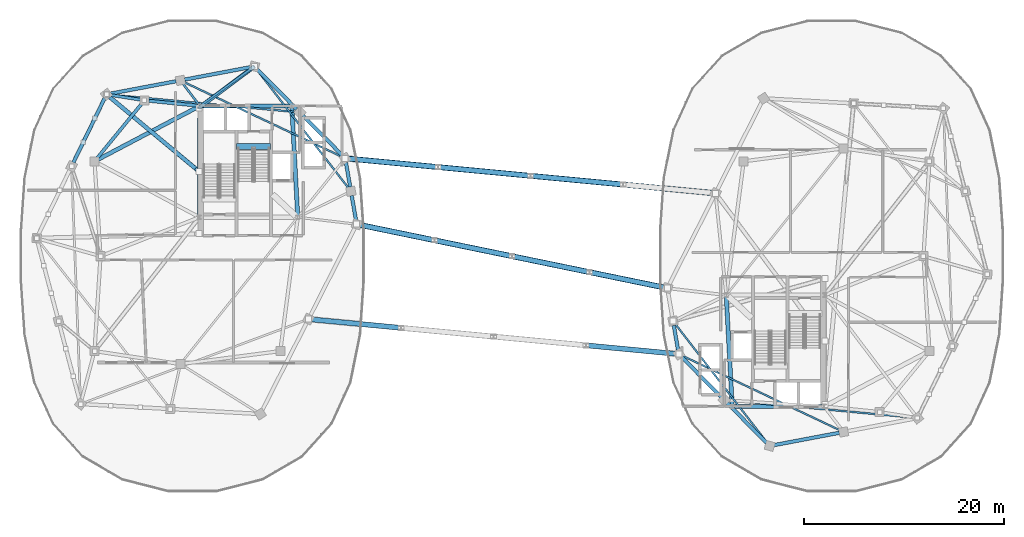
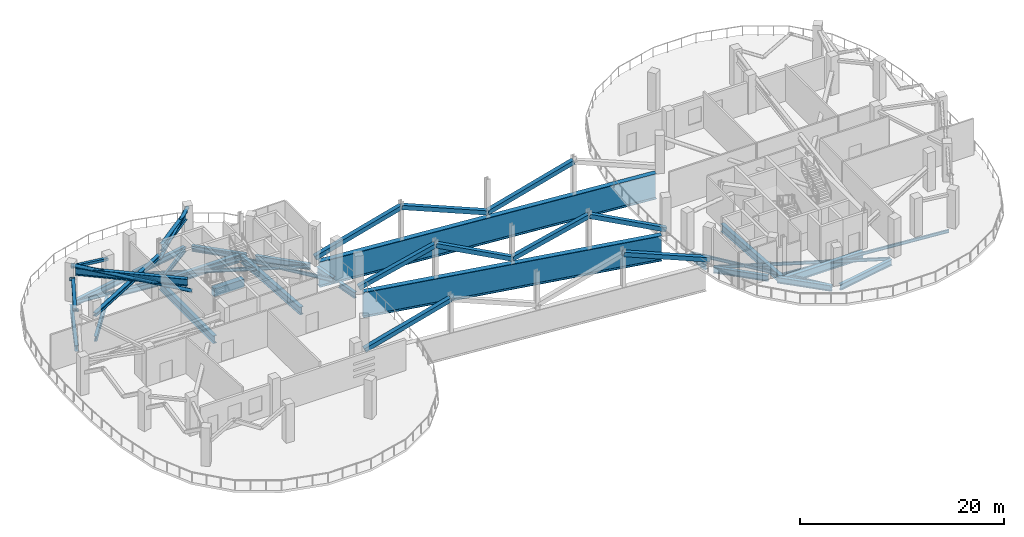
# One storey, part 4 of 16: 31 beams, 16 members.
"""IFC4 building model written with IfcOpenShell, lengths in metres."""

from ifc_helpers import new_model, si_unit, direction, frame, origin, origin_2d, place, context, subcontext, project, spatial, rectangle, hollow_rectangle, hollow_circle, i_section, extrude, material, material_profile, profile_set, type_object, element, save


model = new_model("IFC4")

# Units and contexts
model_context = context("Model", 3, precision=1e-05, world=origin(), true_north=direction((0.0, 1.0)))
body_context = subcontext(model_context, "Body", "Model", "MODEL_VIEW")
ifc_project = project(units=[si_unit("LENGTHUNIT", "METRE"), si_unit("AREAUNIT", "SQUARE_METRE"), si_unit("VOLUMEUNIT", "CUBIC_METRE"), si_unit("PLANEANGLEUNIT", "RADIAN"), si_unit("MASSUNIT", "GRAM", prefix="KILO"), si_unit("THERMODYNAMICTEMPERATUREUNIT", "KELVIN"), si_unit("POWERUNIT", "WATT")], contexts=[model_context])

# Site, building, storey
site_placement = place(None, origin())
site = spatial("IfcSite", under=ifc_project, at=site_placement, CompositionType="ELEMENT")
building_placement = place(site_placement, origin())
building = spatial("IfcBuilding", under=site, at=building_placement, Name="Cundina Bronze Exchange", CompositionType="ELEMENT")
storey_placement = place(building_placement, frame((0.0, 0.0, 235.0)))
storey = spatial("IfcBuildingStorey", under=building, at=storey_placement, Name="L62", CompositionType="ELEMENT", Elevation=235.0)

# Beams
ifc_material_1 = material(Name="Concrete C60/75", Category="concrete")
ifc_material_profile_1 = material_profile(ifc_material_1, rectangle(XDim=0.60009765625, YDim=0.949951171875, at=origin_2d()), Name="RC600X950", Category="concrete")
ifc_profile_set_1 = profile_set([ifc_material_profile_1], Name="Concrete C60/75")
beam_type_1 = type_object("IfcBeamType", Name="BM-COUP-RC950", PredefinedType="LINTEL", material=ifc_profile_set_1)
beam_1_placement = place(storey_placement, frame((-27.56005859375, 10.97998046875, -0.47509765625), z_axis=(1.0, 0.0, 0.0), x_axis=(0.0, 1.0, 0.0)))
element("IfcBeam", 1, at=beam_1_placement, inside=storey, type_object=beam_type_1, Name="L62 Stair W2 Landing Header Beam", PredefinedType="LINTEL", context=body_context, shape_type="SweptSolid", body=[
    extrude(rectangle(XDim=0.60009765625, YDim=0.949951171875, at=origin_2d()), origin(), (0.0, 0.0, 1.0), 3.400146484375),
])
ifc_material_2 = material(Name="Steel ASTM A992 Grade 50", Category="steel")
ifc_material_profile_2 = material_profile(ifc_material_2, i_section(OverallWidth=0.2119140625, OverallDepth=0.5439453125, WebThickness=0.01318359375, FlangeThickness=0.021240234375, FilletRadius=0.013916015625, at=origin_2d()), Name="W21X83", Category="steel")
ifc_profile_set_2 = profile_set([ifc_material_profile_2], Name="Steel ASTM A992 Grade 50")
beam_type_2 = type_object("IfcBeamType", Name="BM-FLR-W21A", PredefinedType="BEAM", material=ifc_profile_set_2)
beam_2_placement = place(storey_placement, frame((-31.09130859375, 15.1650390625, -0.552001953125), z_axis=(0.809709858543, 0.586830422677, 0.0), x_axis=(-0.586830422677, 0.809709858543, 0.0)))
element("IfcBeam", 2, at=beam_2_placement, inside=storey, type_object=beam_type_2, Name="L62 Leg W Radial Floor Beam 04", PredefinedType="BEAM", context=body_context, shape_type="SweptSolid", body=[
    extrude(i_section(OverallWidth=0.2119140625, OverallDepth=0.5439453125, WebThickness=0.01318359375, FlangeThickness=0.021240234375, FilletRadius=0.013916015625, at=origin_2d()), origin(), (0.0, 0.0, 1.0), 6.096923828125),
])
beam_3_placement = place(storey_placement, frame((-31.369140625, 15.205810546875, -0.552001953125), z_axis=(-0.60740437517, 0.794392802727, 0.0), x_axis=(-0.794392802727, -0.60740437517, 0.0)))
element("IfcBeam", 3, at=beam_3_placement, inside=storey, type_object=beam_type_2, Name="L62 Leg W Radial Floor Beam 05", PredefinedType="BEAM", context=body_context, shape_type="SweptSolid", body=[
    extrude(i_section(OverallWidth=0.2119140625, OverallDepth=0.5439453125, WebThickness=0.01318359375, FlangeThickness=0.021240234375, FilletRadius=0.013916015625, at=origin_2d()), origin(), (0.0, 0.0, 1.0), 2.575927734375),
])
ifc_material_profile_3 = material_profile(ifc_material_2, i_section(OverallWidth=0.172119140625, OverallDepth=0.35791015625, WebThickness=0.0078125, FlangeThickness=0.01318359375, FilletRadius=0.010009765625, at=origin_2d()), Name="W14X38", Category="steel")
ifc_profile_set_3 = profile_set([ifc_material_profile_3], Name="Steel ASTM A992 Grade 50")
beam_type_3 = type_object("IfcBeamType", Name="BM-JST-W14", PredefinedType="JOIST", material=ifc_profile_set_3)
beam_4_placement = place(storey_placement, frame((16.39306640625, -6.846435546875, -0.458984375), z_axis=(0.612085793291, -0.790791364174, 0.0), x_axis=(0.790791364174, 0.612085793291, 0.0)))
element("IfcBeam", 4, at=beam_4_placement, inside=storey, type_object=beam_type_3, Name="L62 Leg E Lobe Floor Joist 01-04", PredefinedType="JOIST", context=body_context, shape_type="SweptSolid", body=[
    extrude(i_section(OverallWidth=0.172119140625, OverallDepth=0.35791015625, WebThickness=0.0078125, FlangeThickness=0.01318359375, FilletRadius=0.010009765625, at=origin_2d()), origin(), (0.0, 0.0, 1.0), 14.9306640625),
])
beam_5_placement = place(storey_placement, frame((17.095947265625, -9.9873046875, -0.458984375), z_axis=(0.904073747204, -0.427376484632, 0.0), x_axis=(0.427376484632, 0.904073747204, 0.0)))
element("IfcBeam", 5, at=beam_5_placement, inside=storey, type_object=beam_type_3, Name="L62 Leg E Lobe Floor Joist 02-05", PredefinedType="JOIST", context=body_context, shape_type="SweptSolid", body=[
    extrude(i_section(OverallWidth=0.172119140625, OverallDepth=0.35791015625, WebThickness=0.0078125, FlangeThickness=0.01318359375, FilletRadius=0.010009765625, at=origin_2d()), origin(), (0.0, 0.0, 1.0), 17.374755859375),
])
beam_6_placement = place(storey_placement, frame((21.68603515625, -14.440673828125, -0.458984375), z_axis=(0.9957017803, -0.092617302415, 0.0), x_axis=(0.092617302415, 0.9957017803, 0.0)))
element("IfcBeam", 6, at=beam_6_placement, inside=storey, type_object=beam_type_3, Name="L62 Leg E Lobe Floor Joist 03-06", PredefinedType="JOIST", context=body_context, shape_type="SweptSolid", body=[
    extrude(i_section(OverallWidth=0.172119140625, OverallDepth=0.35791015625, WebThickness=0.0078125, FlangeThickness=0.01318359375, FilletRadius=0.010009765625, at=origin_2d()), origin(), (0.0, 0.0, 1.0), 18.5576171875),
])
ifc_material_profile_4 = material_profile(ifc_material_2, i_section(OverallWidth=0.178955078125, OverallDepth=0.409912109375, WebThickness=0.0087890625, FlangeThickness=0.014404296875, FilletRadius=0.010986328125, at=origin_2d()), Name="W16X45", Category="steel")
ifc_profile_set_4 = profile_set([ifc_material_profile_4], Name="Steel ASTM A992 Grade 50")
beam_type_4 = type_object("IfcBeamType", Name="BM-JST-W16", PredefinedType="JOIST", material=ifc_profile_set_4)
beam_7_placement = place(storey_placement, frame((-16.39306640625, 6.846435546875, -0.485107421875), z_axis=(-0.612085793291, 0.790791364174, 0.0), x_axis=(-0.790791364174, -0.612085793291, 0.0)))
element("IfcBeam", 7, at=beam_7_placement, inside=storey, type_object=beam_type_4, Name="L62 Leg W Lobe Floor Joist 01-04", PredefinedType="JOIST", context=body_context, shape_type="SweptSolid", body=[
    extrude(i_section(OverallWidth=0.178955078125, OverallDepth=0.409912109375, WebThickness=0.0087890625, FlangeThickness=0.014404296875, FilletRadius=0.010986328125, at=origin_2d()), origin(), (0.0, 0.0, 1.0), 14.9306640625),
])
beam_8_placement = place(storey_placement, frame((-17.095947265625, 9.9873046875, -0.485107421875), z_axis=(-0.904073747204, 0.427376484632, 0.0), x_axis=(-0.427376484632, -0.904073747204, 0.0)))
element("IfcBeam", 8, at=beam_8_placement, inside=storey, type_object=beam_type_4, Name="L62 Leg W Lobe Floor Joist 02-05", PredefinedType="JOIST", context=body_context, shape_type="SweptSolid", body=[
    extrude(i_section(OverallWidth=0.178955078125, OverallDepth=0.409912109375, WebThickness=0.0087890625, FlangeThickness=0.014404296875, FilletRadius=0.010986328125, at=origin_2d()), origin(), (0.0, 0.0, 1.0), 17.374755859375),
])
beam_9_placement = place(storey_placement, frame((-21.68603515625, 14.440673828125, -0.485107421875), z_axis=(-0.9957017803, 0.092617302415, 0.0), x_axis=(-0.092617302415, -0.9957017803, 0.0)))
element("IfcBeam", 9, at=beam_9_placement, inside=storey, type_object=beam_type_4, Name="L62 Leg W Lobe Floor Joist 03-06", PredefinedType="JOIST", context=body_context, shape_type="SweptSolid", body=[
    extrude(i_section(OverallWidth=0.178955078125, OverallDepth=0.409912109375, WebThickness=0.0087890625, FlangeThickness=0.014404296875, FilletRadius=0.010986328125, at=origin_2d()), origin(), (0.0, 0.0, 1.0), 18.5576171875),
])
ifc_material_profile_5 = material_profile(ifc_material_2, i_section(OverallWidth=0.39990234375, OverallDepth=0.85498046875, WebThickness=0.018310546875, FlangeThickness=0.029296875, FilletRadius=0.02001953125, at=origin_2d()), Name="W33X201", Category="steel")
ifc_profile_set_5 = profile_set([ifc_material_profile_5], Name="Steel ASTM A992 Grade 50")
beam_type_5 = type_object("IfcBeamType", Name="BM-OUT-W33", PredefinedType="USERDEFINED", material=ifc_profile_set_5)
beam_10_placement = place(storey_placement, frame((-30.989501953125, 15.119384765625, 3.46240234375), z_axis=(0.800838079748, 0.598880931426, 0.0), x_axis=(-0.598880931426, 0.800838079748, 0.0)))
element("IfcBeam", 10, at=beam_10_placement, inside=storey, type_object=beam_type_5, Name="L62 W Outrigger Upper Tie Chord 1", ObjectType="GIRDER", PredefinedType="USERDEFINED", context=body_context, shape_type="SweptSolid", body=[
    extrude(i_section(OverallWidth=0.39990234375, OverallDepth=0.85498046875, WebThickness=0.018310546875, FlangeThickness=0.029296875, FilletRadius=0.02001953125, at=origin_2d()), origin(), (0.0, 0.0, 1.0), 6.0419921875),
])
beam_11_placement = place(storey_placement, frame((-31.69580078125, 8.787841796875, 3.46240234375), z_axis=(-0.768556863118, 0.639781484691, 0.0), x_axis=(-0.639781484691, -0.768556863118, 0.0)))
element("IfcBeam", 11, at=beam_11_placement, inside=storey, type_object=beam_type_5, Name="L62 W Outrigger Upper Tie Chord 2", ObjectType="GIRDER", PredefinedType="USERDEFINED", context=body_context, shape_type="SweptSolid", body=[
    extrude(i_section(OverallWidth=0.39990234375, OverallDepth=0.85498046875, WebThickness=0.018310546875, FlangeThickness=0.029296875, FilletRadius=0.02001953125, at=origin_2d()), origin(), (0.0, 0.0, 1.0), 11.147705078125),
])
ifc_material_profile_6 = material_profile(ifc_material_2, i_section(OverallWidth=0.324951171875, OverallDepth=0.615966796875, WebThickness=0.013916015625, FlangeThickness=0.021484375, FilletRadius=0.01611328125, at=origin_2d()), Name="W24X117", Category="steel")
ifc_profile_set_6 = profile_set([ifc_material_profile_6], Name="Steel ASTM A992 Grade 50")
beam_type_6 = type_object("IfcBeamType", Name="BM-RING-W24", PredefinedType="USERDEFINED", material=ifc_profile_set_6)
beam_12_placement = place(storey_placement, frame((-31.445068359375, 15.0693359375, -0.587890625), z_axis=(-0.995123854478, 0.09863323096, 0.0), x_axis=(-0.09863323096, -0.995123854478, 0.0)))
element("IfcBeam", 12, at=beam_12_placement, inside=storey, type_object=beam_type_6, Name="L62 W Inner Structural Ring Girder 01", ObjectType="GIRDER", PredefinedType="USERDEFINED", context=body_context, shape_type="SweptSolid", body=[
    extrude(i_section(OverallWidth=0.324951171875, OverallDepth=0.615966796875, WebThickness=0.013916015625, FlangeThickness=0.021484375, FilletRadius=0.01611328125, at=origin_2d()), origin(), (0.0, 0.0, 1.0), 4.943115234375),
])
beam_13_placement = place(storey_placement, frame((-37.07763671875, 15.26123046875, -0.587890625), z_axis=(-0.633912590175, -0.77340469873, 0.0), x_axis=(0.77340469873, -0.633912590175, 0.0)))
element("IfcBeam", 13, at=beam_13_placement, inside=storey, type_object=beam_type_6, Name="L62 W Inner Structural Ring Girder 02", ObjectType="GIRDER", PredefinedType="USERDEFINED", context=body_context, shape_type="SweptSolid", body=[
    extrude(i_section(OverallWidth=0.324951171875, OverallDepth=0.615966796875, WebThickness=0.013916015625, FlangeThickness=0.021484375, FilletRadius=0.01611328125, at=origin_2d()), origin(), (0.0, 0.0, 1.0), 7.01123046875),
])
ifc_material_profile_7 = material_profile(ifc_material_2, i_section(OverallWidth=0.35498046875, OverallDepth=0.695068359375, WebThickness=0.015380859375, FlangeThickness=0.02490234375, FilletRadius=0.01806640625, at=origin_2d()), Name="W27X146", Category="steel")
ifc_profile_set_7 = profile_set([ifc_material_profile_7], Name="Steel ASTM A992 Grade 50")
beam_type_7 = type_object("IfcBeamType", Name="BM-RING-W27", PredefinedType="USERDEFINED", material=ifc_profile_set_7)
for number, where, z_axis, x_axis, name in (
    (14, (-15.625244140625, 3.631591796875, -0.62744140625), (-0.171628556628, 0.985161732179, 0.0), (-0.985161732179, -0.171628556628, 0.0), "L62 W Perimeter Ring Girder 00"),
    (15, (-16.2001953125, 6.931396484375, -0.62744140625), (-0.171628556628, 0.985161732179, 0.0), (-0.985161732179, -0.171628556628, 0.0), "L62 W Perimeter Ring Girder 01"),
):
    element("IfcBeam", number, at=place(storey_placement, frame(where, z_axis=z_axis, x_axis=x_axis)), inside=storey, type_object=beam_type_7, Name=name, ObjectType="GIRDER", PredefinedType="USERDEFINED", context=body_context, shape_type="SweptSolid", body=[
        extrude(i_section(OverallWidth=0.35498046875, OverallDepth=0.695068359375, WebThickness=0.015380859375, FlangeThickness=0.02490234375, FilletRadius=0.01806640625, at=origin_2d()), origin(), (0.0, 0.0, 1.0), 2.4736328125),
    ])
for number, where, z_axis, x_axis, name in (
    (16, (-17.008056640625, 10.111328125, -0.62744140625), (-0.703211928763, 0.710980297368, 0.0), (-0.710980297368, -0.703211928763, 0.0), "L62 W Perimeter Ring Girder 02"),
    (17, (-21.55810546875, 14.71142578125, -0.62744140625), (-0.703211928763, 0.710980297368, 0.0), (-0.710980297368, -0.703211928763, 0.0), "L62 W Perimeter Ring Girder 03"),
):
    element("IfcBeam", number, at=place(storey_placement, frame(where, z_axis=z_axis, x_axis=x_axis)), inside=storey, type_object=beam_type_7, Name=name, ObjectType="GIRDER", PredefinedType="USERDEFINED", context=body_context, shape_type="SweptSolid", body=[
        extrude(i_section(OverallWidth=0.35498046875, OverallDepth=0.695068359375, WebThickness=0.015380859375, FlangeThickness=0.02490234375, FilletRadius=0.01806640625, at=origin_2d()), origin(), (0.0, 0.0, 1.0), 5.593994140625),
    ])
beam_14_placement = place(storey_placement, frame((-26.23046875, 18.918701171875, -0.62744140625), z_axis=(-0.982565174657, -0.185918470175, 0.0), x_axis=(0.185918470175, -0.982565174657, 0.0)))
element("IfcBeam", 18, at=beam_14_placement, inside=storey, type_object=beam_type_7, Name="L62 W Perimeter Ring Girder 04", ObjectType="GIRDER", PredefinedType="USERDEFINED", context=body_context, shape_type="SweptSolid", body=[
    extrude(i_section(OverallWidth=0.35498046875, OverallDepth=0.695068359375, WebThickness=0.015380859375, FlangeThickness=0.02490234375, FilletRadius=0.01806640625, at=origin_2d()), origin(), (0.0, 0.0, 1.0), 6.655029296875),
])
beam_15_placement = place(storey_placement, frame((-33.63037109375, 17.5185546875, -0.62744140625), z_axis=(-0.982573143022, -0.185876353022, 0.0), x_axis=(0.185876353022, -0.982573143022, 0.0)))
element("IfcBeam", 19, at=beam_15_placement, inside=storey, type_object=beam_type_7, Name="L62 W Perimeter Ring Girder 05", ObjectType="GIRDER", PredefinedType="USERDEFINED", context=body_context, shape_type="SweptSolid", body=[
    extrude(i_section(OverallWidth=0.35498046875, OverallDepth=0.695068359375, WebThickness=0.015380859375, FlangeThickness=0.02490234375, FilletRadius=0.01806640625, at=origin_2d()), origin(), (0.0, 0.0, 1.0), 6.6552734375),
])
beam_16_placement = place(storey_placement, frame((-40.79150390625, 15.80615234375, -0.62744140625), z_axis=(-0.437173087764, -0.89937739094, 0.0), x_axis=(0.89937739094, -0.437173087764, 0.0)))
element("IfcBeam", 20, at=beam_16_placement, inside=storey, type_object=beam_type_7, Name="L62 W Perimeter Ring Girder 06", ObjectType="GIRDER", PredefinedType="USERDEFINED", context=body_context, shape_type="SweptSolid", body=[
    extrude(i_section(OverallWidth=0.35498046875, OverallDepth=0.695068359375, WebThickness=0.015380859375, FlangeThickness=0.02490234375, FilletRadius=0.01806640625, at=origin_2d()), origin(), (0.0, 0.0, 1.0), 7.1298828125),
])
beam_17_placement = place(storey_placement, frame((16.2001953125, -6.931396484375, -0.62744140625), z_axis=(0.171628556628, -0.985161732179, 0.0), x_axis=(0.985161732179, 0.171628556628, 0.0)))
element("IfcBeam", 21, at=beam_17_placement, inside=storey, type_object=beam_type_7, Name="L62 E Perimeter Ring Girder 01", ObjectType="GIRDER", PredefinedType="USERDEFINED", context=body_context, shape_type="SweptSolid", body=[
    extrude(i_section(OverallWidth=0.35498046875, OverallDepth=0.695068359375, WebThickness=0.015380859375, FlangeThickness=0.02490234375, FilletRadius=0.01806640625, at=origin_2d()), origin(), (0.0, 0.0, 1.0), 2.4736328125),
])
for number, where, z_axis, x_axis, name in (
    (22, (17.008056640625, -10.111328125, -0.62744140625), (0.703211928763, -0.710980297368, 0.0), (0.710980297368, 0.703211928763, 0.0), "L62 E Perimeter Ring Girder 02"),
    (23, (21.55810546875, -14.71142578125, -0.62744140625), (0.703211928763, -0.710980297368, 0.0), (0.710980297368, 0.703211928763, 0.0), "L62 E Perimeter Ring Girder 03"),
):
    element("IfcBeam", number, at=place(storey_placement, frame(where, z_axis=z_axis, x_axis=x_axis)), inside=storey, type_object=beam_type_7, Name=name, ObjectType="GIRDER", PredefinedType="USERDEFINED", context=body_context, shape_type="SweptSolid", body=[
        extrude(i_section(OverallWidth=0.35498046875, OverallDepth=0.695068359375, WebThickness=0.015380859375, FlangeThickness=0.02490234375, FilletRadius=0.01806640625, at=origin_2d()), origin(), (0.0, 0.0, 1.0), 5.593994140625),
    ])
beam_18_placement = place(storey_placement, frame((26.23046875, -18.918701171875, -0.62744140625), z_axis=(0.982565174657, 0.185918470175, 0.0), x_axis=(-0.185918470175, 0.982565174657, 0.0)))
element("IfcBeam", 24, at=beam_18_placement, inside=storey, type_object=beam_type_7, Name="L62 E Perimeter Ring Girder 04", ObjectType="GIRDER", PredefinedType="USERDEFINED", context=body_context, shape_type="SweptSolid", body=[
    extrude(i_section(OverallWidth=0.35498046875, OverallDepth=0.695068359375, WebThickness=0.015380859375, FlangeThickness=0.02490234375, FilletRadius=0.01806640625, at=origin_2d()), origin(), (0.0, 0.0, 1.0), 6.655029296875),
])
ifc_material_profile_8 = material_profile(ifc_material_2, i_section(OverallWidth=0.41796875, OverallDepth=0.927001953125, WebThickness=0.019287109375, FlangeThickness=0.031982421875, FilletRadius=0.02392578125, at=origin_2d()), Name="W36X231", Category="steel")
ifc_profile_set_8 = profile_set([ifc_material_profile_8], Name="Steel ASTM A992 Grade 50")
beam_type_8 = type_object("IfcBeamType", Name="BM-WRN-W36B", PredefinedType="USERDEFINED", material=ifc_profile_set_8)
beam_19_placement = place(storey_placement, frame((-21.46044921875, 4.095703125, -0.743408203125), z_axis=(-0.053749317644, 0.998554460634, 0.0), x_axis=(-0.998554460634, -0.053749317644, 0.0)))
element("IfcBeam", 25, at=beam_19_placement, inside=storey, type_object=beam_type_8, Name="L62 W Core Perimeter Tie Girder 2", ObjectType="GIRDER", PredefinedType="USERDEFINED", context=body_context, shape_type="SweptSolid", body=[
    extrude(i_section(OverallWidth=0.41796875, OverallDepth=0.927001953125, WebThickness=0.019287109375, FlangeThickness=0.031982421875, FilletRadius=0.02392578125, at=origin_2d()), origin(), (0.0, 0.0, 1.0), 10.774169921875),
])
beam_20_placement = place(storey_placement, frame((-22.24609375, 15.050048828125, -0.743408203125), z_axis=(-1.0, 0.0, 0.0), x_axis=(0.0, -1.0, 0.0)))
element("IfcBeam", 26, at=beam_20_placement, inside=storey, type_object=beam_type_8, Name="L62 W Core Perimeter Tie Girder 3", ObjectType="GIRDER", PredefinedType="USERDEFINED", context=body_context, shape_type="SweptSolid", body=[
    extrude(i_section(OverallWidth=0.41796875, OverallDepth=0.927001953125, WebThickness=0.019287109375, FlangeThickness=0.031982421875, FilletRadius=0.02392578125, at=origin_2d()), origin(), (0.0, 0.0, 1.0), 8.807861328125),
])
beam_21_placement = place(storey_placement, frame((-31.2509765625, 14.85400390625, -0.743408203125), z_axis=(-0.004470623654, -0.999990006712, 0.0), x_axis=(0.999990006712, -0.004470623654, 0.0)))
element("IfcBeam", 27, at=beam_21_placement, inside=storey, type_object=beam_type_8, Name="L62 W Core Perimeter Tie Girder 4", ObjectType="GIRDER", PredefinedType="USERDEFINED", context=body_context, shape_type="SweptSolid", body=[
    extrude(i_section(OverallWidth=0.41796875, OverallDepth=0.927001953125, WebThickness=0.019287109375, FlangeThickness=0.031982421875, FilletRadius=0.02392578125, at=origin_2d()), origin(), (0.0, 0.0, 1.0), 10.758056640625),
])
beam_22_placement = place(storey_placement, frame((21.46044921875, -4.095703125, -0.743408203125), z_axis=(0.053749317644, -0.998554460634, 0.0), x_axis=(0.998554460634, 0.053749317644, 0.0)))
element("IfcBeam", 28, at=beam_22_placement, inside=storey, type_object=beam_type_8, Name="L62 E Core Perimeter Tie Girder 2", ObjectType="GIRDER", PredefinedType="USERDEFINED", context=body_context, shape_type="SweptSolid", body=[
    extrude(i_section(OverallWidth=0.41796875, OverallDepth=0.927001953125, WebThickness=0.019287109375, FlangeThickness=0.031982421875, FilletRadius=0.02392578125, at=origin_2d()), origin(), (0.0, 0.0, 1.0), 10.774169921875),
])
beam_23_placement = place(storey_placement, frame((22.24609375, -15.050048828125, -0.743408203125), z_axis=(1.0, 0.0, 0.0), x_axis=(0.0, 1.0, 0.0)))
element("IfcBeam", 29, at=beam_23_placement, inside=storey, type_object=beam_type_8, Name="L62 E Core Perimeter Tie Girder 3", ObjectType="GIRDER", PredefinedType="USERDEFINED", context=body_context, shape_type="SweptSolid", body=[
    extrude(i_section(OverallWidth=0.41796875, OverallDepth=0.927001953125, WebThickness=0.019287109375, FlangeThickness=0.031982421875, FilletRadius=0.02392578125, at=origin_2d()), origin(), (0.0, 0.0, 1.0), 8.807861328125),
])
ifc_material_profile_9 = material_profile(ifc_material_2, i_section(OverallWidth=0.550048828125, OverallDepth=3.050048828125, WebThickness=0.035888671875, FlangeThickness=0.054931640625, FilletRadius=0.02392578125, at=origin_2d()), Name="W106X750", Category="steel")
ifc_profile_set_9 = profile_set([ifc_material_profile_9], Name="Steel ASTM A992 Grade 50")
beam_type_9 = type_object("IfcBeamType", Name="BM-XFER-STL2700", PredefinedType="USERDEFINED", material=ifc_profile_set_9)
beam_24_placement = place(storey_placement, frame((-15.12109375, 3.11181640625, -1.52490234375), z_axis=(0.979474310714, -0.201569031974, 0.0), x_axis=(0.201569031974, 0.979474310714, 0.0)))
element("IfcBeam", 30, at=beam_24_placement, inside=storey, type_object=beam_type_9, Name="L62 Sky-Gate Portal Transfer Bottom Chord Y2", ObjectType="GIRDER", PredefinedType="USERDEFINED", context=body_context, shape_type="SweptSolid", body=[
    extrude(i_section(OverallWidth=0.550048828125, OverallDepth=3.050048828125, WebThickness=0.035888671875, FlangeThickness=0.054931640625, FilletRadius=0.02392578125, at=origin_2d()), origin(), (0.0, 0.0, 1.0), 30.8759765625),
])
beam_25_placement = place(storey_placement, frame((-16.263916015625, 9.7587890625, -1.52490234375), z_axis=(0.995574064121, -0.093980225843, 0.0), x_axis=(0.093980225843, 0.995574064121, 0.0)))
element("IfcBeam", 31, at=beam_25_placement, inside=storey, type_object=beam_type_9, Name="L62 Sky-Gate Portal Transfer Bottom Chord Y3", ObjectType="GIRDER", PredefinedType="USERDEFINED", context=body_context, shape_type="SweptSolid", body=[
    extrude(i_section(OverallWidth=0.550048828125, OverallDepth=3.050048828125, WebThickness=0.035888671875, FlangeThickness=0.054931640625, FilletRadius=0.02392578125, at=origin_2d()), origin(), (0.0, 0.0, 1.0), 36.36376953125),
])

# Members
ifc_material_3 = material(Name="Steel ASTM A500 Grade C", Category="steel")
ifc_material_profile_10 = material_profile(ifc_material_3, hollow_rectangle(XDim=0.300048828125, YDim=0.300048828125, WallThickness=0.01611328125, at=origin_2d()), Name="HSS300X300X16", Category="steel")
ifc_profile_set_10 = profile_set([ifc_material_profile_10], Name="Steel ASTM A500 Grade C")
member_type_1 = type_object("IfcMemberType", Name="MBR-BLT-HSS300", PredefinedType="STRUT", material=ifc_profile_set_10)
member_1_placement = place(storey_placement, frame((-36.800048828125, 15.60009765625, 3.889892578125), z_axis=(-0.98776913913, 0.155923467706, 0.0), x_axis=(-0.155923467706, -0.98776913913, 0.0)))
element("IfcMember", 32, at=member_1_placement, inside=storey, type_object=member_type_1, Name="L62 W Outrigger Collector Strut 4", PredefinedType="STRUT", context=body_context, shape_type="SweptSolid", body=[
    extrude(hollow_rectangle(XDim=0.300048828125, YDim=0.300048828125, WallThickness=0.01611328125, at=origin_2d()), origin(), (0.0, 0.0, 1.0), 3.84716796875),
])
ifc_material_profile_11 = material_profile(ifc_material_3, hollow_rectangle(XDim=0.35009765625, YDim=0.35009765625, WallThickness=0.01904296875, at=origin_2d()), Name="HSS350X350X19", Category="steel")
ifc_profile_set_11 = profile_set([ifc_material_profile_11], Name="Steel ASTM A500 Grade C")
member_type_2 = type_object("IfcMemberType", Name="MBR-BLT-HSS350", PredefinedType="BRACE", material=ifc_profile_set_11)
member_2_placement = place(storey_placement, frame((-40.60009765625, 16.199951171875, 2.409912109375), z_axis=(-0.356729366299, -0.733915795463, 0.578024017139), x_axis=(0.899384841713, -0.437157759278, 0.0)))
element("IfcMember", 33, at=member_2_placement, inside=storey, type_object=member_type_2, Name="L62 W Perimeter Belt M-Truss Diagonal 4A", PredefinedType="BRACE", context=body_context, shape_type="SweptSolid", body=[
    extrude(hollow_rectangle(XDim=0.35009765625, YDim=0.35009765625, WallThickness=0.01904296875, at=origin_2d()), origin(), (0.0, 0.0, 1.0), 3.27001953125),
])
member_3_placement = place(storey_placement, frame((-41.7666015625, 13.800048828125, 4.300048828125), z_axis=(-0.356774974672, -0.733930691776, -0.577976952063), x_axis=(0.899366355353, -0.437195790075, 0.0)))
element("IfcMember", 34, at=member_3_placement, inside=storey, type_object=member_type_2, Name="L62 W Perimeter Belt M-Truss Diagonal 4B", PredefinedType="BRACE", context=body_context, shape_type="SweptSolid", body=[
    extrude(hollow_rectangle(XDim=0.35009765625, YDim=0.35009765625, WallThickness=0.01904296875, at=origin_2d()), origin(), (0.0, 0.0, 1.0), 3.270263671875),
])
member_4_placement = place(storey_placement, frame((-42.933349609375, 11.39990234375, 2.409912109375), z_axis=(-0.356794523485, -0.733896247302, 0.578008621222), x_axis=(0.899348867178, -0.437231763606, 0.0)))
element("IfcMember", 35, at=member_4_placement, inside=storey, type_object=member_type_2, Name="L62 W Perimeter Belt M-Truss Diagonal 4C", PredefinedType="BRACE", context=body_context, shape_type="SweptSolid", body=[
    extrude(hollow_rectangle(XDim=0.35009765625, YDim=0.35009765625, WallThickness=0.01904296875, at=origin_2d()), origin(), (0.0, 0.0, 1.0), 3.27001953125),
])
ifc_material_profile_12 = material_profile(ifc_material_2, i_section(OverallWidth=0.406005859375, OverallDepth=0.416015625, WebThickness=0.02978515625, FlangeThickness=0.048095703125, FilletRadius=0.01806640625, at=origin_2d()), Name="W14X257", Category="steel")
ifc_profile_set_12 = profile_set([ifc_material_profile_12], Name="Steel ASTM A992 Grade 50")
member_type_3 = type_object("IfcMemberType", Name="MBR-CHORD-W14", PredefinedType="CHORD", material=ifc_profile_set_12)
member_5_placement = place(storey_placement, frame((-31.25, 15.050048828125, 2.64990234375), z_axis=(-0.8850083895, -0.465575075058, 0.0), x_axis=(0.465575075058, -0.8850083895, 0.0)))
element("IfcMember", 36, at=member_5_placement, inside=storey, type_object=member_type_3, Name="L62 West Outrigger Mid-Height Tie Chord 2", PredefinedType="CHORD", context=body_context, shape_type="SweptSolid", body=[
    extrude(i_section(OverallWidth=0.406005859375, OverallDepth=0.416015625, WebThickness=0.02978515625, FlangeThickness=0.048095703125, FilletRadius=0.01806640625, at=origin_2d()), origin(), (0.0, 0.0, 1.0), 11.9208984375),
])
ifc_material_4 = material(Name="Steel ASTM A501 Grade B", Category="steel")
ifc_material_profile_13 = material_profile(ifc_material_4, hollow_circle(Radius=0.202880859375, WallThickness=0.02001953125, at=origin_2d()), Name="CHS406X20", Category="steel")
ifc_profile_set_13 = profile_set([ifc_material_profile_13], Name="Steel ASTM A501 Grade B")
member_type_4 = type_object("IfcMemberType", Name="MBR-OUT-CHS406", PredefinedType="BRACE", material=ifc_profile_set_13)
member_6_placement = place(storey_placement, frame((-31.35009765625, 14.85009765625, 2.449951171875), z_axis=(0.778073365997, 0.581783797793, 0.236916545965), x_axis=(-0.598832557833, 0.800874252101, 0.0)))
element("IfcMember", 37, at=member_6_placement, inside=storey, type_object=member_type_4, Name="L62 W Outrigger Truss Diagonal 1", PredefinedType="BRACE", context=body_context, shape_type="SweptSolid", body=[
    extrude(hollow_circle(Radius=0.202880859375, WallThickness=0.02001953125, at=origin_2d()), origin(), (0.0, 0.0, 1.0), 7.133056640625),
])
member_7_placement = place(storey_placement, frame((-31.35009765625, 8.5, 2.449951171875), z_axis=(-0.761097400107, 0.633558142472, 0.139049730879), x_axis=(-0.639773284379, -0.768563689355, 0.0)))
element("IfcMember", 38, at=member_7_placement, inside=storey, type_object=member_type_4, Name="L62 W Outrigger Truss Diagonal 2", PredefinedType="BRACE", context=body_context, shape_type="SweptSolid", body=[
    extrude(hollow_circle(Radius=0.202880859375, WallThickness=0.02001953125, at=origin_2d()), origin(), (0.0, 0.0, 1.0), 12.153564453125),
])
ifc_material_profile_14 = material_profile(ifc_material_4, hollow_rectangle(XDim=0.5, YDim=0.5, WallThickness=0.028076171875, at=origin_2d()), Name="HSS500X500X28", Category="steel")
ifc_profile_set_14 = profile_set([ifc_material_profile_14], Name="Steel ASTM A501 Grade B")
member_type_5 = type_object("IfcMemberType", Name="MBR-WRN-HSS500", PredefinedType="BRACE", material=ifc_profile_set_14)
member_8_placement = place(storey_placement, frame((-20.375, -6.300048828125, 0.550048828125), z_axis=(0.935813384467, -0.088343347028, 0.341245897394), x_axis=(0.093984877441, 0.995573625008, 0.0)))
element("IfcMember", 39, at=member_8_placement, inside=storey, type_object=member_type_5, Name="L62 Sky-Gate Warren Truss Diagonal Y1-P1", PredefinedType="BRACE", context=body_context, shape_type="SweptSolid", body=[
    extrude(hollow_rectangle(XDim=0.5, YDim=0.5, WallThickness=0.028076171875, at=origin_2d()), origin(), (0.0, 0.0, 1.0), 9.904541015625),
])
member_9_placement = place(storey_placement, frame((7.431396484375, -8.925048828125, 3.929931640625), z_axis=(0.935810321595, -0.088345384907, -0.341253769154), x_axis=(0.093987331204, 0.995573393363, 0.0)))
element("IfcMember", 40, at=member_9_placement, inside=storey, type_object=member_type_5, Name="L62 Sky-Gate Warren Truss Diagonal Y1-P4", PredefinedType="BRACE", context=body_context, shape_type="SweptSolid", body=[
    extrude(hollow_rectangle(XDim=0.5, YDim=0.5, WallThickness=0.028076171875, at=origin_2d()), origin(), (0.0, 0.0, 1.0), 9.904296875),
])
member_10_placement = place(storey_placement, frame((-15.550048828125, 3.199951171875, 0.550048828125), z_axis=(0.901191203486, -0.185433665854, 0.391750903415), x_axis=(0.20154270901, 0.979479727429, 0.0)))
element("IfcMember", 41, at=member_10_placement, inside=storey, type_object=member_type_5, Name="L62 Sky-Gate Warren Truss Diagonal Y2-P1", PredefinedType="BRACE", context=body_context, shape_type="SweptSolid", body=[
    extrude(hollow_rectangle(XDim=0.5, YDim=0.5, WallThickness=0.028076171875, at=origin_2d()), origin(), (0.0, 0.0, 1.0), 8.627685546875),
])
for number, where, z_axis, x_axis, name in (
    (42, (-7.77490234375, 1.60009765625, 3.929931640625), (0.901181158099, -0.185465719719, -0.39175883793), (0.201578287646, 0.979472405915, 0.0), "L62 Sky-Gate Warren Truss Diagonal Y2-P2"),
    (43, (0.0, 0.0, 0.550048828125), (0.901181158099, -0.185465719719, 0.39175883793), (0.201578287646, 0.979472405915, 0.0), "L62 Sky-Gate Warren Truss Diagonal Y2-P3"),
):
    element("IfcMember", number, at=place(storey_placement, frame(where, z_axis=z_axis, x_axis=x_axis)), inside=storey, type_object=member_type_5, Name=name, PredefinedType="BRACE", context=body_context, shape_type="SweptSolid", body=[
        extrude(hollow_rectangle(XDim=0.5, YDim=0.5, WallThickness=0.028076171875, at=origin_2d()), origin(), (0.0, 0.0, 1.0), 8.62744140625),
    ])
member_11_placement = place(storey_placement, frame((7.77490234375, -1.60009765625, 3.929931640625), z_axis=(0.901191203486, -0.185433665854, -0.391750903415), x_axis=(0.20154270901, 0.979479727429, 0.0)))
element("IfcMember", 44, at=member_11_placement, inside=storey, type_object=member_type_5, Name="L62 Sky-Gate Warren Truss Diagonal Y2-P4", PredefinedType="BRACE", context=body_context, shape_type="SweptSolid", body=[
    extrude(hollow_rectangle(XDim=0.5, YDim=0.5, WallThickness=0.028076171875, at=origin_2d()), origin(), (0.0, 0.0, 1.0), 8.627685546875),
])
member_12_placement = place(storey_placement, frame((-16.699951171875, 9.800048828125, 0.550048828125), z_axis=(0.935813384467, -0.088343347028, 0.341245897394), x_axis=(0.093984877441, 0.995573625008, 0.0)))
element("IfcMember", 45, at=member_12_placement, inside=storey, type_object=member_type_5, Name="L62 Sky-Gate Warren Truss Diagonal Y3-P1", PredefinedType="BRACE", context=body_context, shape_type="SweptSolid", body=[
    extrude(hollow_rectangle(XDim=0.5, YDim=0.5, WallThickness=0.028076171875, at=origin_2d()), origin(), (0.0, 0.0, 1.0), 9.904541015625),
])
member_13_placement = place(storey_placement, frame((-7.43115234375, 8.925048828125, 3.929931640625), z_axis=(0.935810321595, -0.088345384907, -0.341253769154), x_axis=(0.093987331204, 0.995573393363, 0.0)))
element("IfcMember", 46, at=member_13_placement, inside=storey, type_object=member_type_5, Name="L62 Sky-Gate Warren Truss Diagonal Y3-P2", PredefinedType="BRACE", context=body_context, shape_type="SweptSolid", body=[
    extrude(hollow_rectangle(XDim=0.5, YDim=0.5, WallThickness=0.028076171875, at=origin_2d()), origin(), (0.0, 0.0, 1.0), 9.904296875),
])
member_14_placement = place(storey_placement, frame((1.83740234375, 8.050048828125, 0.550048828125), z_axis=(0.935813384467, -0.088343347028, 0.341245897394), x_axis=(0.093984877441, 0.995573625008, 0.0)))
element("IfcMember", 47, at=member_14_placement, inside=storey, type_object=member_type_5, Name="L62 Sky-Gate Warren Truss Diagonal Y3-P3", PredefinedType="BRACE", context=body_context, shape_type="SweptSolid", body=[
    extrude(hollow_rectangle(XDim=0.5, YDim=0.5, WallThickness=0.028076171875, at=origin_2d()), origin(), (0.0, 0.0, 1.0), 9.904541015625),
])

save(model, "model.ifc")
